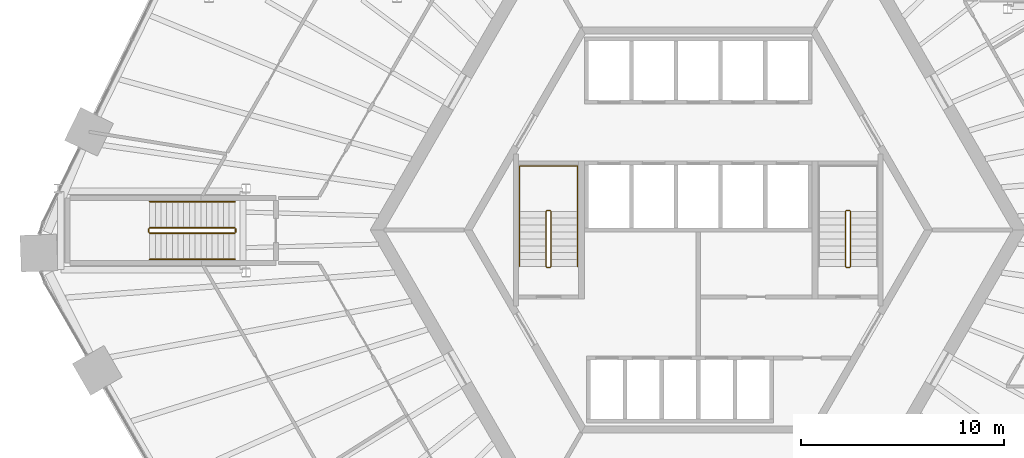
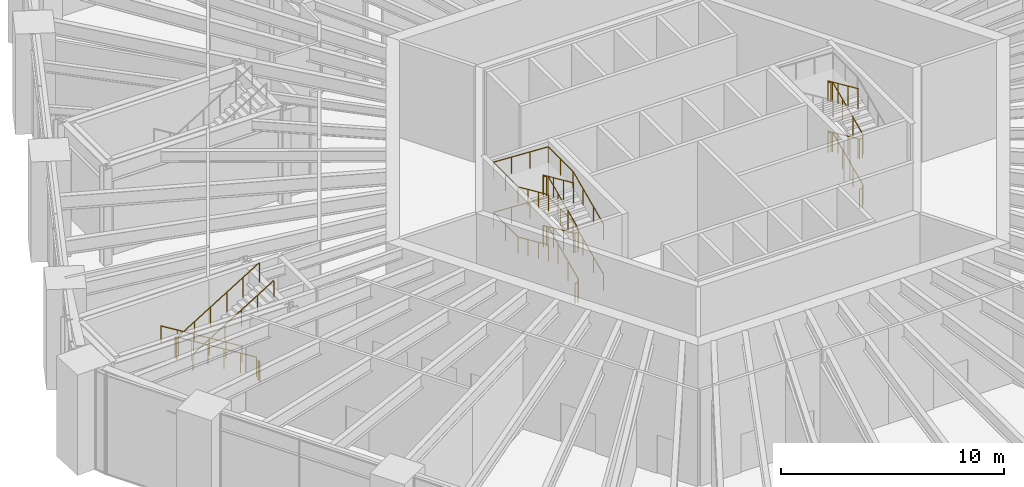
# One storey, part 27 of 30: 10 railings.
"""IFC4 building model written with IfcOpenShell, lengths in metres."""

from ifc_helpers import new_model, si_unit, direction, frame, origin, origin_2d, place, context, subcontext, project, spatial, circle, extrude, material, type_object, element, save


model = new_model("IFC4")

# Units and contexts
model_context = context("Model", 3, precision=1e-05, world=origin(), true_north=direction((0.0, 1.0)))
body_context = subcontext(model_context, "Body", "Model", "MODEL_VIEW")
ifc_project = project(units=[si_unit("LENGTHUNIT", "METRE"), si_unit("AREAUNIT", "SQUARE_METRE"), si_unit("VOLUMEUNIT", "CUBIC_METRE"), si_unit("PLANEANGLEUNIT", "RADIAN"), si_unit("MASSUNIT", "GRAM", prefix="KILO")], contexts=[model_context])

# Site, building, storey
site_placement = place(None, origin())
site = spatial("IfcSite", under=ifc_project, at=site_placement, CompositionType="ELEMENT")
building_placement = place(site_placement, origin())
building = spatial("IfcBuilding", under=site, at=building_placement, Name="Tarnside Tower", CompositionType="ELEMENT")
storey_placement = place(building_placement, frame((0.0, 0.0, 20.5)))
storey = spatial("IfcBuildingStorey", under=building, at=storey_placement, Name="L03", CompositionType="ELEMENT", Elevation=20.5)

# Railings
ifc_material = material(Name="Stainless steel", Category="steel")
railing_type_1 = type_object("IfcRailingType", Name="Podium stair guard 1100", PredefinedType="GUARDRAIL", material=ifc_material)
railing_1_placement = place(storey_placement, frame((-22.830078125, 0.10009765625, 0.171875)))
element("IfcRailing", 1, at=railing_1_placement, inside=storey, type_object=railing_type_1, Name="L03 PS2 stair guard 1", PredefinedType="GUARDRAIL", context=body_context, shape_type="SweptSolid", body=[
    extrude(circle(Radius=0.02392578125, at=origin_2d()), frame((0.0, 0.0, 1.076171875), z_axis=(-0.852242915053, 0.0, 0.523146264196), x_axis=(0.0, -1.0, 0.0)), (0.0, 0.0, 1.0), 4.92822265625),
    extrude(circle(Radius=0.02099609375, at=origin_2d()), origin(), (0.0, 0.0, 1.0), 1.052001953125),
    extrude(circle(Radius=0.02099609375, at=origin_2d()), frame((-0.840087890625, 0.0, 0.515625)), (0.0, 0.0, 1.0), 1.052001953125),
    extrude(circle(Radius=0.02099609375, at=origin_2d()), frame((-1.679931640625, 0.0, 1.03125)), (0.0, 0.0, 1.0), 1.052001953125),
    extrude(circle(Radius=0.02099609375, at=origin_2d()), frame((-2.52001953125, 0.0, 1.546875)), (0.0, 0.0, 1.0), 1.052001953125),
    extrude(circle(Radius=0.02099609375, at=origin_2d()), frame((-3.35986328125, 0.0, 2.0625)), (0.0, 0.0, 1.0), 1.052001953125),
    extrude(circle(Radius=0.02099609375, at=origin_2d()), frame((-4.199951171875, 0.0, 2.578125)), (0.0, 0.0, 1.0), 1.052001953125),
])
railing_2_placement = place(storey_placement, frame((-27.080078125, 0.050048828125, 2.75)))
element("IfcRailing", 2, at=railing_2_placement, inside=storey, type_object=railing_type_1, Name="L03 PS2 stair guard 2", PredefinedType="GUARDRAIL", context=body_context, shape_type="SweptSolid", body=[
    extrude(circle(Radius=0.02392578125, at=origin_2d()), frame((0.0, 0.0, 1.076171875), z_axis=(0.0, -1.0, 0.0), x_axis=(1.0, 0.0, 0.0)), (0.0, 0.0, 1.0), 0.150146484375),
    extrude(circle(Radius=0.02099609375, at=origin_2d()), origin(), (0.0, 0.0, 1.0), 1.052001953125),
    extrude(circle(Radius=0.02099609375, at=origin_2d()), frame((0.0, -0.150146484375, 0.0)), (0.0, 0.0, 1.0), 1.052001953125),
])
railing_3_placement = place(storey_placement, frame((-27.030029296875, -0.14990234375, 2.921875)))
element("IfcRailing", 3, at=railing_3_placement, inside=storey, type_object=railing_type_1, Name="L03 PS2 stair guard 3", PredefinedType="GUARDRAIL", context=body_context, shape_type="SweptSolid", body=[
    extrude(circle(Radius=0.02392578125, at=origin_2d()), frame((0.0, 0.0, 1.076171875), z_axis=(0.852242915053, 0.0, 0.523146264196), x_axis=(0.0, 1.0, 0.0)), (0.0, 0.0, 1.0), 4.92822265625),
    extrude(circle(Radius=0.02099609375, at=origin_2d()), origin(), (0.0, 0.0, 1.0), 1.052001953125),
    extrude(circle(Radius=0.02099609375, at=origin_2d()), frame((0.840087890625, 0.0, 0.515625)), (0.0, 0.0, 1.0), 1.052001953125),
    extrude(circle(Radius=0.02099609375, at=origin_2d()), frame((1.679931640625, 0.0, 1.03125)), (0.0, 0.0, 1.0), 1.052001953125),
    extrude(circle(Radius=0.02099609375, at=origin_2d()), frame((2.52001953125, 0.0, 1.546875)), (0.0, 0.0, 1.0), 1.052001953125),
    extrude(circle(Radius=0.02099609375, at=origin_2d()), frame((3.35986328125, 0.0, 2.0625)), (0.0, 0.0, 1.0), 1.052001953125),
    extrude(circle(Radius=0.02099609375, at=origin_2d()), frame((4.199951171875, 0.0, 2.578125)), (0.0, 0.0, 1.0), 1.052001953125),
])
railing_4_placement = place(storey_placement, frame((-22.780029296875, 0.050048828125, 0.0)))
element("IfcRailing", 4, at=railing_4_placement, inside=storey, type_object=railing_type_1, Name="L03 PS2 stair guard 4", PredefinedType="GUARDRAIL", context=body_context, shape_type="SweptSolid", body=[
    extrude(circle(Radius=0.02392578125, at=origin_2d()), frame((0.0, 0.0, 1.076171875), z_axis=(0.0, -1.0, 0.0), x_axis=(1.0, 0.0, 0.0)), (0.0, 0.0, 1.0), 0.150146484375),
    extrude(circle(Radius=0.02099609375, at=origin_2d()), origin(), (0.0, 0.0, 1.0), 1.052001953125),
    extrude(circle(Radius=0.02099609375, at=origin_2d()), frame((0.0, -0.150146484375, 0.0)), (0.0, 0.0, 1.0), 1.052001953125),
])
railing_type_2 = type_object("IfcRailingType", Name="Podium stair handrail 900", PredefinedType="HANDRAIL", material=ifc_material)
railing_5_placement = place(storey_placement, frame((-22.830078125, 1.39990234375, 0.171875)))
element("IfcRailing", 5, at=railing_5_placement, inside=storey, type_object=railing_type_2, Name="L03 PS2 stair handrail 1", PredefinedType="HANDRAIL", context=body_context, shape_type="SweptSolid", body=[
    extrude(circle(Radius=0.02392578125, at=origin_2d()), frame((0.0, 0.0, 0.8857421875), z_axis=(-0.852242915053, 0.0, 0.523146264196), x_axis=(0.0, -1.0, 0.0)), (0.0, 0.0, 1.0), 4.92822265625),
    extrude(circle(Radius=0.02099609375, at=origin_2d()), origin(), (0.0, 0.0, 1.0), 0.86181640625),
    extrude(circle(Radius=0.02099609375, at=origin_2d()), frame((-0.840087890625, 0.0, 0.515625)), (0.0, 0.0, 1.0), 0.86181640625),
    extrude(circle(Radius=0.02099609375, at=origin_2d()), frame((-1.679931640625, 0.0, 1.03125)), (0.0, 0.0, 1.0), 0.86181640625),
    extrude(circle(Radius=0.02099609375, at=origin_2d()), frame((-2.52001953125, 0.0, 1.546875)), (0.0, 0.0, 1.0), 0.86181640625),
    extrude(circle(Radius=0.02099609375, at=origin_2d()), frame((-3.35986328125, 0.0, 2.0625)), (0.0, 0.0, 1.0), 0.86181640625),
    extrude(circle(Radius=0.02099609375, at=origin_2d()), frame((-4.199951171875, 0.0, 2.578125)), (0.0, 0.0, 1.0), 0.86181640625),
])
railing_6_placement = place(storey_placement, frame((-27.030029296875, -1.449951171875, 2.921875)))
element("IfcRailing", 6, at=railing_6_placement, inside=storey, type_object=railing_type_2, Name="L03 PS2 stair handrail 2", PredefinedType="HANDRAIL", context=body_context, shape_type="SweptSolid", body=[
    extrude(circle(Radius=0.02392578125, at=origin_2d()), frame((0.0, 0.0, 0.8857421875), z_axis=(0.852242915053, 0.0, 0.523146264196), x_axis=(0.0, 1.0, 0.0)), (0.0, 0.0, 1.0), 4.92822265625),
    extrude(circle(Radius=0.02099609375, at=origin_2d()), origin(), (0.0, 0.0, 1.0), 0.86181640625),
    extrude(circle(Radius=0.02099609375, at=origin_2d()), frame((0.840087890625, 0.0, 0.515625)), (0.0, 0.0, 1.0), 0.86181640625),
    extrude(circle(Radius=0.02099609375, at=origin_2d()), frame((1.679931640625, 0.0, 1.03125)), (0.0, 0.0, 1.0), 0.86181640625),
    extrude(circle(Radius=0.02099609375, at=origin_2d()), frame((2.52001953125, 0.0, 1.546875)), (0.0, 0.0, 1.0), 0.86181640625),
    extrude(circle(Radius=0.02099609375, at=origin_2d()), frame((3.35986328125, 0.0, 2.0625)), (0.0, 0.0, 1.0), 0.86181640625),
    extrude(circle(Radius=0.02099609375, at=origin_2d()), frame((4.199951171875, 0.0, 2.578125)), (0.0, 0.0, 1.0), 0.86181640625),
])
railing_type_3 = type_object("IfcRailingType", Name="Stair guard 1100", PredefinedType="GUARDRAIL", material=ifc_material)
railing_7_placement = place(storey_placement, frame((7.300048828125, -1.85009765625, 0.0)))
element("IfcRailing", 7, at=railing_7_placement, inside=storey, type_object=railing_type_3, Name="L03 ST1 stair guard 1", PredefinedType="GUARDRAIL", context=body_context, shape_type="SweptSolid", body=[
    extrude(circle(Radius=0.02392578125, at=origin_2d()), frame((0.0, 0.0, 1.076171875), z_axis=(1.0, 0.0, 0.0), x_axis=(0.0, 1.0, 0.0)), (0.0, 0.0, 1.0), 0.14990234375),
    extrude(circle(Radius=0.02392578125, at=origin_2d()), frame((0.14990234375, 0.0, 1.076171875), z_axis=(0.297155754911, 0.297155754911, 0.90741220768), x_axis=(-0.707106781187, 0.707106781187, 0.0)), (0.0, 0.0, 1.0), 0.16845703125),
    extrude(circle(Radius=0.02392578125, at=origin_2d()), frame((0.199951171875, 0.050048828125, 1.22900390625), z_axis=(0.0, 0.912149621895, 0.409857374312), x_axis=(-1.0, 0.0, 0.0)), (0.0, 0.0, 1.0), 2.98193359375),
    extrude(circle(Radius=0.02392578125, at=origin_2d()), frame((0.199951171875, 2.77001953125, 2.451171875), z_axis=(-0.707106781187, 0.707106781187, 0.0), x_axis=(-0.707106781187, -0.707106781187, 0.0)), (0.0, 0.0, 1.0), 0.07080078125),
    extrude(circle(Radius=0.02392578125, at=origin_2d()), frame((0.14990234375, 2.820068359375, 2.451171875), z_axis=(-1.0, 0.0, 0.0), x_axis=(0.0, -1.0, 0.0)), (0.0, 0.0, 1.0), 0.14990234375),
    extrude(circle(Radius=0.02392578125, at=origin_2d()), frame((0.0, 2.820068359375, 2.451171875), z_axis=(-0.297155754911, -0.297155754911, 0.90741220768), x_axis=(0.707106781187, -0.707106781187, 0.0)), (0.0, 0.0, 1.0), 0.16845703125),
    extrude(circle(Radius=0.02392578125, at=origin_2d()), frame((-0.050048828125, 2.77001953125, 2.60400390625), z_axis=(0.0, -0.912149621895, 0.409857374312), x_axis=(1.0, 0.0, 0.0)), (0.0, 0.0, 1.0), 2.98193359375),
    extrude(circle(Radius=0.02392578125, at=origin_2d()), frame((-0.050048828125, 0.050048828125, 3.826171875), z_axis=(0.707106781187, -0.707106781187, 0.0), x_axis=(0.707106781187, 0.707106781187, 0.0)), (0.0, 0.0, 1.0), 0.07080078125),
    extrude(circle(Radius=0.02392578125, at=origin_2d()), frame((0.0, 0.0, 3.826171875), z_axis=(1.0, 0.0, 0.0), x_axis=(0.0, 1.0, 0.0)), (0.0, 0.0, 1.0), 0.14990234375),
    extrude(circle(Radius=0.02392578125, at=origin_2d()), frame((0.14990234375, 0.0, 3.826171875), z_axis=(0.297155754911, 0.297155754911, 0.90741220768), x_axis=(-0.707106781187, 0.707106781187, 0.0)), (0.0, 0.0, 1.0), 0.16845703125),
    extrude(circle(Radius=0.02392578125, at=origin_2d()), frame((0.199951171875, 0.050048828125, 3.97900390625), z_axis=(0.0, 0.912149621895, 0.409857374312), x_axis=(-1.0, 0.0, 0.0)), (0.0, 0.0, 1.0), 2.98193359375),
    extrude(circle(Radius=0.02392578125, at=origin_2d()), frame((0.199951171875, 2.77001953125, 5.201171875), z_axis=(-0.707106781187, 0.707106781187, 0.0), x_axis=(-0.707106781187, -0.707106781187, 0.0)), (0.0, 0.0, 1.0), 0.07080078125),
    extrude(circle(Radius=0.02392578125, at=origin_2d()), frame((0.14990234375, 2.820068359375, 5.201171875), z_axis=(-1.0, 0.0, 0.0), x_axis=(0.0, -1.0, 0.0)), (0.0, 0.0, 1.0), 0.14990234375),
    extrude(circle(Radius=0.02392578125, at=origin_2d()), frame((0.0, 2.820068359375, 5.201171875), z_axis=(-0.297155754911, -0.297155754911, 0.90741220768), x_axis=(0.707106781187, -0.707106781187, 0.0)), (0.0, 0.0, 1.0), 0.16845703125),
    extrude(circle(Radius=0.02392578125, at=origin_2d()), frame((-0.050048828125, 2.77001953125, 5.35400390625), z_axis=(0.0, -0.912149621895, 0.409857374312), x_axis=(1.0, 0.0, 0.0)), (0.0, 0.0, 1.0), 2.98193359375),
    extrude(circle(Radius=0.02099609375, at=origin_2d()), origin(), (0.0, 0.0, 1.0), 1.052001953125),
    extrude(circle(Radius=0.02099609375, at=origin_2d()), frame((0.14990234375, 0.0, 0.0)), (0.0, 0.0, 1.0), 1.052001953125),
    extrude(circle(Radius=0.02099609375, at=origin_2d()), frame((0.199951171875, 0.050048828125, 0.15283203125)), (0.0, 0.0, 1.0), 1.052001953125),
    extrude(circle(Radius=0.02099609375, at=origin_2d()), frame((0.199951171875, 0.956787109375, 0.560302734375)), (0.0, 0.0, 1.0), 1.052001953125),
    extrude(circle(Radius=0.02099609375, at=origin_2d()), frame((0.199951171875, 1.86328125, 0.967529296875)), (0.0, 0.0, 1.0), 1.052001953125),
    extrude(circle(Radius=0.02099609375, at=origin_2d()), frame((0.199951171875, 2.77001953125, 1.375)), (0.0, 0.0, 1.0), 1.052001953125),
    extrude(circle(Radius=0.02099609375, at=origin_2d()), frame((0.14990234375, 2.820068359375, 1.375)), (0.0, 0.0, 1.0), 1.052001953125),
    extrude(circle(Radius=0.02099609375, at=origin_2d()), frame((0.0, 2.820068359375, 1.375)), (0.0, 0.0, 1.0), 1.052001953125),
    extrude(circle(Radius=0.02099609375, at=origin_2d()), frame((-0.050048828125, 2.77001953125, 1.52783203125)), (0.0, 0.0, 1.0), 1.052001953125),
    extrude(circle(Radius=0.02099609375, at=origin_2d()), frame((-0.050048828125, 1.86328125, 1.935302734375)), (0.0, 0.0, 1.0), 1.052001953125),
    extrude(circle(Radius=0.02099609375, at=origin_2d()), frame((-0.050048828125, 0.956787109375, 2.342529296875)), (0.0, 0.0, 1.0), 1.052001953125),
    extrude(circle(Radius=0.02099609375, at=origin_2d()), frame((-0.050048828125, 0.050048828125, 2.75)), (0.0, 0.0, 1.0), 1.052001953125),
    extrude(circle(Radius=0.02099609375, at=origin_2d()), frame((0.0, 0.0, 2.75)), (0.0, 0.0, 1.0), 1.052001953125),
    extrude(circle(Radius=0.02099609375, at=origin_2d()), frame((0.14990234375, 0.0, 2.75)), (0.0, 0.0, 1.0), 1.052001953125),
    extrude(circle(Radius=0.02099609375, at=origin_2d()), frame((0.199951171875, 0.050048828125, 2.90283203125)), (0.0, 0.0, 1.0), 1.052001953125),
    extrude(circle(Radius=0.02099609375, at=origin_2d()), frame((0.199951171875, 0.956787109375, 3.310302734375)), (0.0, 0.0, 1.0), 1.052001953125),
    extrude(circle(Radius=0.02099609375, at=origin_2d()), frame((0.199951171875, 1.86328125, 3.717529296875)), (0.0, 0.0, 1.0), 1.052001953125),
    extrude(circle(Radius=0.02099609375, at=origin_2d()), frame((0.199951171875, 2.77001953125, 4.125)), (0.0, 0.0, 1.0), 1.052001953125),
    extrude(circle(Radius=0.02099609375, at=origin_2d()), frame((0.14990234375, 2.820068359375, 4.125)), (0.0, 0.0, 1.0), 1.052001953125),
    extrude(circle(Radius=0.02099609375, at=origin_2d()), frame((0.0, 2.820068359375, 4.125)), (0.0, 0.0, 1.0), 1.052001953125),
    extrude(circle(Radius=0.02099609375, at=origin_2d()), frame((-0.050048828125, 2.77001953125, 4.27783203125)), (0.0, 0.0, 1.0), 1.052001953125),
    extrude(circle(Radius=0.02099609375, at=origin_2d()), frame((-0.050048828125, 1.86328125, 4.685302734375)), (0.0, 0.0, 1.0), 1.052001953125),
    extrude(circle(Radius=0.02099609375, at=origin_2d()), frame((-0.050048828125, 0.956787109375, 5.092529296875)), (0.0, 0.0, 1.0), 1.052001953125),
    extrude(circle(Radius=0.02099609375, at=origin_2d()), frame((-0.050048828125, 0.050048828125, 5.5)), (0.0, 0.0, 1.0), 1.052001953125),
])
railing_8_placement = place(storey_placement, frame((-7.449951171875, -1.85009765625, 0.0)))
element("IfcRailing", 8, at=railing_8_placement, inside=storey, type_object=railing_type_3, Name="L03 ST2 stair guard 1", PredefinedType="GUARDRAIL", context=body_context, shape_type="SweptSolid", body=[
    extrude(circle(Radius=0.02392578125, at=origin_2d()), frame((0.0, 0.0, 1.076171875), z_axis=(1.0, 0.0, 0.0), x_axis=(0.0, 1.0, 0.0)), (0.0, 0.0, 1.0), 0.14990234375),
    extrude(circle(Radius=0.02392578125, at=origin_2d()), frame((0.14990234375, 0.0, 1.076171875), z_axis=(0.297155754911, 0.297155754911, 0.90741220768), x_axis=(-0.707106781187, 0.707106781187, 0.0)), (0.0, 0.0, 1.0), 0.16845703125),
    extrude(circle(Radius=0.02392578125, at=origin_2d()), frame((0.199951171875, 0.050048828125, 1.22900390625), z_axis=(0.0, 0.912149621895, 0.409857374312), x_axis=(-1.0, 0.0, 0.0)), (0.0, 0.0, 1.0), 2.98193359375),
    extrude(circle(Radius=0.02392578125, at=origin_2d()), frame((0.199951171875, 2.77001953125, 2.451171875), z_axis=(-0.707106781187, 0.707106781187, 0.0), x_axis=(-0.707106781187, -0.707106781187, 0.0)), (0.0, 0.0, 1.0), 0.07080078125),
    extrude(circle(Radius=0.02392578125, at=origin_2d()), frame((0.14990234375, 2.820068359375, 2.451171875), z_axis=(-1.0, 0.0, 0.0), x_axis=(0.0, -1.0, 0.0)), (0.0, 0.0, 1.0), 0.14990234375),
    extrude(circle(Radius=0.02392578125, at=origin_2d()), frame((0.0, 2.820068359375, 2.451171875), z_axis=(-0.297155754911, -0.297155754911, 0.90741220768), x_axis=(0.707106781187, -0.707106781187, 0.0)), (0.0, 0.0, 1.0), 0.16845703125),
    extrude(circle(Radius=0.02392578125, at=origin_2d()), frame((-0.050048828125, 2.77001953125, 2.60400390625), z_axis=(0.0, -0.912149621895, 0.409857374312), x_axis=(1.0, 0.0, 0.0)), (0.0, 0.0, 1.0), 2.98193359375),
    extrude(circle(Radius=0.02392578125, at=origin_2d()), frame((-0.050048828125, 0.050048828125, 3.826171875), z_axis=(0.707106781187, -0.707106781187, 0.0), x_axis=(0.707106781187, 0.707106781187, 0.0)), (0.0, 0.0, 1.0), 0.07080078125),
    extrude(circle(Radius=0.02392578125, at=origin_2d()), frame((0.0, 0.0, 3.826171875), z_axis=(1.0, 0.0, 0.0), x_axis=(0.0, 1.0, 0.0)), (0.0, 0.0, 1.0), 0.14990234375),
    extrude(circle(Radius=0.02392578125, at=origin_2d()), frame((0.14990234375, 0.0, 3.826171875), z_axis=(0.297155754911, 0.297155754911, 0.90741220768), x_axis=(-0.707106781187, 0.707106781187, 0.0)), (0.0, 0.0, 1.0), 0.16845703125),
    extrude(circle(Radius=0.02392578125, at=origin_2d()), frame((0.199951171875, 0.050048828125, 3.97900390625), z_axis=(0.0, 0.912149621895, 0.409857374312), x_axis=(-1.0, 0.0, 0.0)), (0.0, 0.0, 1.0), 2.98193359375),
    extrude(circle(Radius=0.02392578125, at=origin_2d()), frame((0.199951171875, 2.77001953125, 5.201171875), z_axis=(-0.707106781187, 0.707106781187, 0.0), x_axis=(-0.707106781187, -0.707106781187, 0.0)), (0.0, 0.0, 1.0), 0.07080078125),
    extrude(circle(Radius=0.02392578125, at=origin_2d()), frame((0.14990234375, 2.820068359375, 5.201171875), z_axis=(-1.0, 0.0, 0.0), x_axis=(0.0, -1.0, 0.0)), (0.0, 0.0, 1.0), 0.14990234375),
    extrude(circle(Radius=0.02392578125, at=origin_2d()), frame((0.0, 2.820068359375, 5.201171875), z_axis=(-0.297155754911, -0.297155754911, 0.90741220768), x_axis=(0.707106781187, -0.707106781187, 0.0)), (0.0, 0.0, 1.0), 0.16845703125),
    extrude(circle(Radius=0.02392578125, at=origin_2d()), frame((-0.050048828125, 2.77001953125, 5.35400390625), z_axis=(0.0, -0.912149621895, 0.409857374312), x_axis=(1.0, 0.0, 0.0)), (0.0, 0.0, 1.0), 2.98193359375),
    extrude(circle(Radius=0.02099609375, at=origin_2d()), origin(), (0.0, 0.0, 1.0), 1.052001953125),
    extrude(circle(Radius=0.02099609375, at=origin_2d()), frame((0.14990234375, 0.0, 0.0)), (0.0, 0.0, 1.0), 1.052001953125),
    extrude(circle(Radius=0.02099609375, at=origin_2d()), frame((0.199951171875, 0.050048828125, 0.15283203125)), (0.0, 0.0, 1.0), 1.052001953125),
    extrude(circle(Radius=0.02099609375, at=origin_2d()), frame((0.199951171875, 0.956787109375, 0.560302734375)), (0.0, 0.0, 1.0), 1.052001953125),
    extrude(circle(Radius=0.02099609375, at=origin_2d()), frame((0.199951171875, 1.86328125, 0.967529296875)), (0.0, 0.0, 1.0), 1.052001953125),
    extrude(circle(Radius=0.02099609375, at=origin_2d()), frame((0.199951171875, 2.77001953125, 1.375)), (0.0, 0.0, 1.0), 1.052001953125),
    extrude(circle(Radius=0.02099609375, at=origin_2d()), frame((0.14990234375, 2.820068359375, 1.375)), (0.0, 0.0, 1.0), 1.052001953125),
    extrude(circle(Radius=0.02099609375, at=origin_2d()), frame((0.0, 2.820068359375, 1.375)), (0.0, 0.0, 1.0), 1.052001953125),
    extrude(circle(Radius=0.02099609375, at=origin_2d()), frame((-0.050048828125, 2.77001953125, 1.52783203125)), (0.0, 0.0, 1.0), 1.052001953125),
    extrude(circle(Radius=0.02099609375, at=origin_2d()), frame((-0.050048828125, 1.86328125, 1.935302734375)), (0.0, 0.0, 1.0), 1.052001953125),
    extrude(circle(Radius=0.02099609375, at=origin_2d()), frame((-0.050048828125, 0.956787109375, 2.342529296875)), (0.0, 0.0, 1.0), 1.052001953125),
    extrude(circle(Radius=0.02099609375, at=origin_2d()), frame((-0.050048828125, 0.050048828125, 2.75)), (0.0, 0.0, 1.0), 1.052001953125),
    extrude(circle(Radius=0.02099609375, at=origin_2d()), frame((0.0, 0.0, 2.75)), (0.0, 0.0, 1.0), 1.052001953125),
    extrude(circle(Radius=0.02099609375, at=origin_2d()), frame((0.14990234375, 0.0, 2.75)), (0.0, 0.0, 1.0), 1.052001953125),
    extrude(circle(Radius=0.02099609375, at=origin_2d()), frame((0.199951171875, 0.050048828125, 2.90283203125)), (0.0, 0.0, 1.0), 1.052001953125),
    extrude(circle(Radius=0.02099609375, at=origin_2d()), frame((0.199951171875, 0.956787109375, 3.310302734375)), (0.0, 0.0, 1.0), 1.052001953125),
    extrude(circle(Radius=0.02099609375, at=origin_2d()), frame((0.199951171875, 1.86328125, 3.717529296875)), (0.0, 0.0, 1.0), 1.052001953125),
    extrude(circle(Radius=0.02099609375, at=origin_2d()), frame((0.199951171875, 2.77001953125, 4.125)), (0.0, 0.0, 1.0), 1.052001953125),
    extrude(circle(Radius=0.02099609375, at=origin_2d()), frame((0.14990234375, 2.820068359375, 4.125)), (0.0, 0.0, 1.0), 1.052001953125),
    extrude(circle(Radius=0.02099609375, at=origin_2d()), frame((0.0, 2.820068359375, 4.125)), (0.0, 0.0, 1.0), 1.052001953125),
    extrude(circle(Radius=0.02099609375, at=origin_2d()), frame((-0.050048828125, 2.77001953125, 4.27783203125)), (0.0, 0.0, 1.0), 1.052001953125),
    extrude(circle(Radius=0.02099609375, at=origin_2d()), frame((-0.050048828125, 1.86328125, 4.685302734375)), (0.0, 0.0, 1.0), 1.052001953125),
    extrude(circle(Radius=0.02099609375, at=origin_2d()), frame((-0.050048828125, 0.956787109375, 5.092529296875)), (0.0, 0.0, 1.0), 1.052001953125),
    extrude(circle(Radius=0.02099609375, at=origin_2d()), frame((-0.050048828125, 0.050048828125, 5.5)), (0.0, 0.0, 1.0), 1.052001953125),
])
railing_type_4 = type_object("IfcRailingType", Name="Stair handrail 900", PredefinedType="HANDRAIL", material=ifc_material)
railing_9_placement = place(storey_placement, frame((-5.949951171875, -1.800048828125, 0.15283203125)))
element("IfcRailing", 9, at=railing_9_placement, inside=storey, type_object=railing_type_4, Name="L03 ST2 stair handrail 1", PredefinedType="HANDRAIL", context=body_context, shape_type="SweptSolid", body=[
    extrude(circle(Radius=0.02392578125, at=origin_2d()), frame((0.0, 0.0, 0.8857421875), z_axis=(0.0, 0.912149621895, 0.409857374312), x_axis=(-1.0, 0.0, 0.0)), (0.0, 0.0, 1.0), 2.98193359375),
    extrude(circle(Radius=0.02392578125, at=origin_2d()), frame((0.0, 2.719970703125, 2.10791015625), z_axis=(0.0, 1.0, 0.0), x_axis=(-1.0, 0.0, 0.0)), (0.0, 0.0, 1.0), 2.22998046875),
    extrude(circle(Radius=0.02392578125, at=origin_2d()), frame((0.0, 4.949951171875, 2.10791015625), z_axis=(-0.998565356737, 0.0, 0.053546506195), x_axis=(0.0, -1.0, 0.0)), (0.0, 0.0, 1.0), 2.854248046875),
    extrude(circle(Radius=0.02392578125, at=origin_2d()), frame((-2.85009765625, 4.949951171875, 2.2607421875), z_axis=(0.0, -1.0, 0.0), x_axis=(1.0, 0.0, 0.0)), (0.0, 0.0, 1.0), 2.22998046875),
    extrude(circle(Radius=0.02392578125, at=origin_2d()), frame((-2.85009765625, 2.719970703125, 2.2607421875), z_axis=(0.0, -0.912149621895, 0.409857374312), x_axis=(1.0, 0.0, 0.0)), (0.0, 0.0, 1.0), 2.98193359375),
    extrude(circle(Radius=0.02099609375, at=origin_2d()), origin(), (0.0, 0.0, 1.0), 0.86181640625),
    extrude(circle(Radius=0.02099609375, at=origin_2d()), frame((0.0, 0.90673828125, 0.407470703125)), (0.0, 0.0, 1.0), 0.86181640625),
    extrude(circle(Radius=0.02099609375, at=origin_2d()), frame((0.0, 1.813232421875, 0.814697265625)), (0.0, 0.0, 1.0), 0.86181640625),
    extrude(circle(Radius=0.02099609375, at=origin_2d()), frame((0.0, 2.719970703125, 1.22216796875)), (0.0, 0.0, 1.0), 0.86181640625),
    extrude(circle(Radius=0.02099609375, at=origin_2d()), frame((0.0, 3.8349609375, 1.22216796875)), (0.0, 0.0, 1.0), 0.86181640625),
    extrude(circle(Radius=0.02099609375, at=origin_2d()), frame((0.0, 4.949951171875, 1.22216796875)), (0.0, 0.0, 1.0), 0.86181640625),
    extrude(circle(Radius=0.02099609375, at=origin_2d()), frame((-0.949951171875, 4.949951171875, 1.273193359375)), (0.0, 0.0, 1.0), 0.86181640625),
    extrude(circle(Radius=0.02099609375, at=origin_2d()), frame((-1.900146484375, 4.949951171875, 1.323974609375)), (0.0, 0.0, 1.0), 0.86181640625),
    extrude(circle(Radius=0.02099609375, at=origin_2d()), frame((-2.85009765625, 4.949951171875, 1.375)), (0.0, 0.0, 1.0), 0.86181640625),
    extrude(circle(Radius=0.02099609375, at=origin_2d()), frame((-2.85009765625, 3.8349609375, 1.375)), (0.0, 0.0, 1.0), 0.86181640625),
    extrude(circle(Radius=0.02099609375, at=origin_2d()), frame((-2.85009765625, 2.719970703125, 1.375)), (0.0, 0.0, 1.0), 0.86181640625),
    extrude(circle(Radius=0.02099609375, at=origin_2d()), frame((-2.85009765625, 1.813232421875, 1.782470703125)), (0.0, 0.0, 1.0), 0.86181640625),
    extrude(circle(Radius=0.02099609375, at=origin_2d()), frame((-2.85009765625, 0.90673828125, 2.189697265625)), (0.0, 0.0, 1.0), 0.86181640625),
    extrude(circle(Radius=0.02099609375, at=origin_2d()), frame((-2.85009765625, 0.0, 2.59716796875)), (0.0, 0.0, 1.0), 0.86181640625),
])
railing_10_placement = place(storey_placement, frame((-5.949951171875, -1.800048828125, 2.90283203125)))
element("IfcRailing", 10, at=railing_10_placement, inside=storey, type_object=railing_type_4, Name="L03 ST2 stair handrail 2", PredefinedType="HANDRAIL", context=body_context, shape_type="SweptSolid", body=[
    extrude(circle(Radius=0.02392578125, at=origin_2d()), frame((0.0, 0.0, 0.8857421875), z_axis=(0.0, 0.912149621895, 0.409857374312), x_axis=(-1.0, 0.0, 0.0)), (0.0, 0.0, 1.0), 2.98193359375),
    extrude(circle(Radius=0.02392578125, at=origin_2d()), frame((0.0, 2.719970703125, 2.10791015625), z_axis=(0.0, 1.0, 0.0), x_axis=(-1.0, 0.0, 0.0)), (0.0, 0.0, 1.0), 2.22998046875),
    extrude(circle(Radius=0.02392578125, at=origin_2d()), frame((0.0, 4.949951171875, 2.10791015625), z_axis=(-0.998565356737, 0.0, 0.053546506195), x_axis=(0.0, -1.0, 0.0)), (0.0, 0.0, 1.0), 2.854248046875),
    extrude(circle(Radius=0.02392578125, at=origin_2d()), frame((-2.85009765625, 4.949951171875, 2.2607421875), z_axis=(0.0, -1.0, 0.0), x_axis=(1.0, 0.0, 0.0)), (0.0, 0.0, 1.0), 2.22998046875),
    extrude(circle(Radius=0.02392578125, at=origin_2d()), frame((-2.85009765625, 2.719970703125, 2.2607421875), z_axis=(0.0, -0.912149621895, 0.409857374312), x_axis=(1.0, 0.0, 0.0)), (0.0, 0.0, 1.0), 2.98193359375),
    extrude(circle(Radius=0.02099609375, at=origin_2d()), origin(), (0.0, 0.0, 1.0), 0.86181640625),
    extrude(circle(Radius=0.02099609375, at=origin_2d()), frame((0.0, 0.90673828125, 0.407470703125)), (0.0, 0.0, 1.0), 0.86181640625),
    extrude(circle(Radius=0.02099609375, at=origin_2d()), frame((0.0, 1.813232421875, 0.814697265625)), (0.0, 0.0, 1.0), 0.86181640625),
    extrude(circle(Radius=0.02099609375, at=origin_2d()), frame((0.0, 2.719970703125, 1.22216796875)), (0.0, 0.0, 1.0), 0.86181640625),
    extrude(circle(Radius=0.02099609375, at=origin_2d()), frame((0.0, 3.8349609375, 1.22216796875)), (0.0, 0.0, 1.0), 0.86181640625),
    extrude(circle(Radius=0.02099609375, at=origin_2d()), frame((0.0, 4.949951171875, 1.22216796875)), (0.0, 0.0, 1.0), 0.86181640625),
    extrude(circle(Radius=0.02099609375, at=origin_2d()), frame((-0.949951171875, 4.949951171875, 1.273193359375)), (0.0, 0.0, 1.0), 0.86181640625),
    extrude(circle(Radius=0.02099609375, at=origin_2d()), frame((-1.900146484375, 4.949951171875, 1.323974609375)), (0.0, 0.0, 1.0), 0.86181640625),
    extrude(circle(Radius=0.02099609375, at=origin_2d()), frame((-2.85009765625, 4.949951171875, 1.375)), (0.0, 0.0, 1.0), 0.86181640625),
    extrude(circle(Radius=0.02099609375, at=origin_2d()), frame((-2.85009765625, 3.8349609375, 1.375)), (0.0, 0.0, 1.0), 0.86181640625),
    extrude(circle(Radius=0.02099609375, at=origin_2d()), frame((-2.85009765625, 2.719970703125, 1.375)), (0.0, 0.0, 1.0), 0.86181640625),
    extrude(circle(Radius=0.02099609375, at=origin_2d()), frame((-2.85009765625, 1.813232421875, 1.782470703125)), (0.0, 0.0, 1.0), 0.86181640625),
    extrude(circle(Radius=0.02099609375, at=origin_2d()), frame((-2.85009765625, 0.90673828125, 2.189697265625)), (0.0, 0.0, 1.0), 0.86181640625),
    extrude(circle(Radius=0.02099609375, at=origin_2d()), frame((-2.85009765625, 0.0, 2.59716796875)), (0.0, 0.0, 1.0), 0.86181640625),
])

save(model, "model.ifc")
